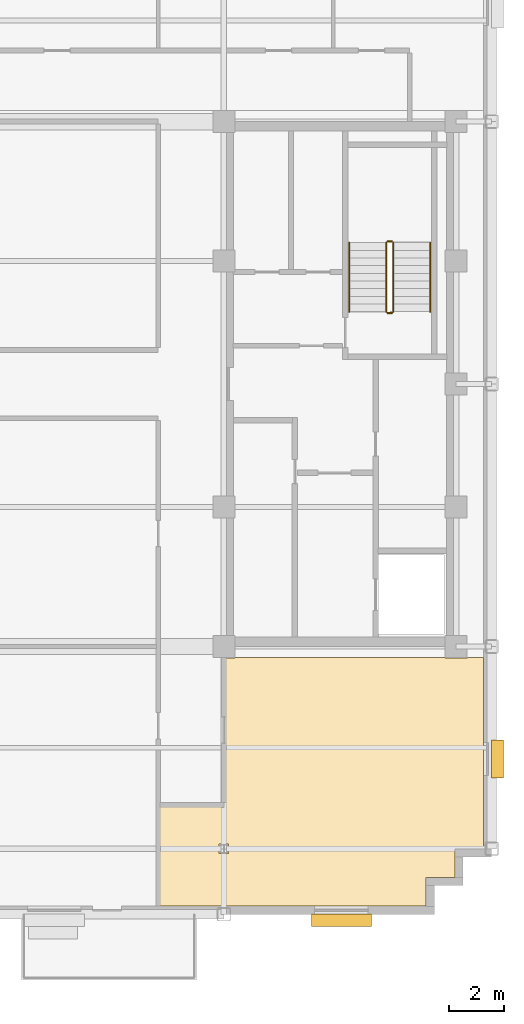
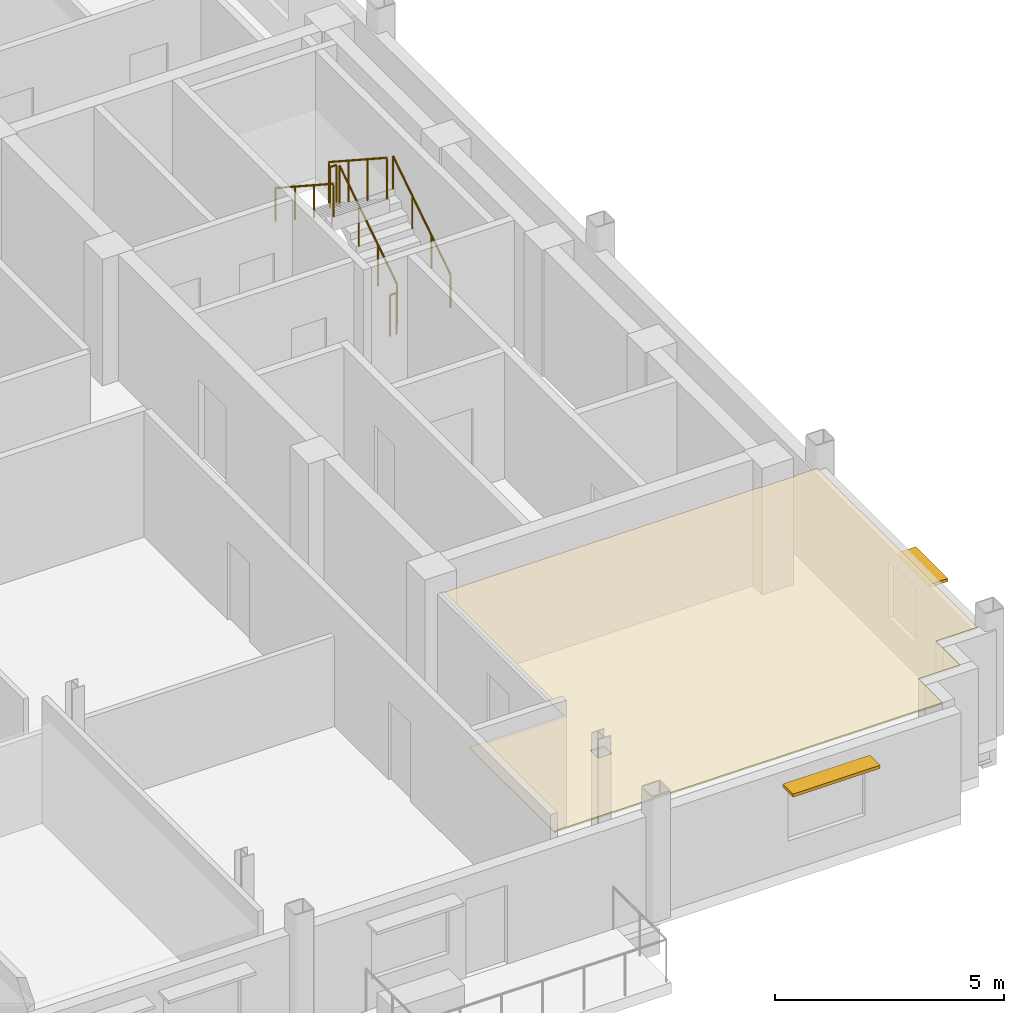
# One storey, part 12 of 13: 6 railings, 2 shading devices, 1 covering.
"""IFC4 building model written with IfcOpenShell, lengths in metres."""

from ifc_helpers import new_model, si_unit, direction, frame, origin, origin_2d, place, context, subcontext, project, spatial, polyline, rectangle, circle, outline, extrude, source, transform, mapped, material, layer, layer_set, type_object, type_shapes, element, save


model = new_model("IFC4")

# Units and contexts
model_context = context("Model", 3, precision=1e-05, world=origin(), true_north=direction((0.0, 1.0)))
body_context = subcontext(model_context, "Body", "Model", "MODEL_VIEW")
ifc_project = project(units=[si_unit("LENGTHUNIT", "METRE"), si_unit("AREAUNIT", "SQUARE_METRE"), si_unit("VOLUMEUNIT", "CUBIC_METRE"), si_unit("PLANEANGLEUNIT", "RADIAN"), si_unit("MASSUNIT", "GRAM", prefix="KILO")], contexts=[model_context])

# Site, building, storey
site_placement = place(None, origin())
site = spatial("IfcSite", under=ifc_project, at=site_placement, CompositionType="ELEMENT")
building_placement = place(site_placement, origin())
building = spatial("IfcBuilding", under=site, at=building_placement, Name="Nuvemarco Arch Tower", CompositionType="ELEMENT")
storey_placement = place(building_placement, frame((0.0, 0.0, 261.60009765625)))
storey = spatial("IfcBuildingStorey", under=building, at=storey_placement, Name="L69", CompositionType="ELEMENT", Elevation=261.60009765625)

# Covering
ifc_material_1 = material(Name="Mineral acoustic ceiling tile")
ifc_layer = layer(ifc_material_1, 0.0400390625, Name="COV-ACOUSTIC-CLG")
ifc_layer_set = layer_set([ifc_layer], Name="Mineral acoustic ceiling tile")
covering_type = type_object("IfcCoveringType", Name="COV-ACOUSTIC-CLG", PredefinedType="CEILING", material=ifc_layer_set)
covering_placement = place(storey_placement, frame((0.0, 0.0, 2.849853515625)))
element("IfcCovering", 1, at=covering_placement, inside=storey, type_object=covering_type, Name="L69 suspended acoustic ceiling 1", PredefinedType="CEILING", context=body_context, shape_type="SweptSolid", body=[
    extrude(outline(polyline([(16.39990234375, -19.10009765625), (6.60009765625, -19.10009765625), (6.60009765625, -15.39990234375), (9.0, -15.39990234375), (9.0, -10.014892578125), (9.4150390625, -10.014892578125), (9.4150390625, -10.0), (17.0849609375, -10.0), (17.0849609375, -10.014892578125), (17.9150390625, -10.014892578125), (17.9150390625, -10.0), (18.5, -10.0), (18.5, -17.0), (17.449951171875, -17.0), (17.449951171875, -18.050048828125), (16.39990234375, -18.050048828125), (16.39990234375, -19.10009765625)]), holes=[polyline([(9.169921875, -17.169921875), (9.169921875, -16.830078125), (8.830078125, -16.830078125), (8.830078125, -17.169921875), (9.169921875, -17.169921875)])]), origin(), (0.0, 0.0, 1.0), 0.0400390625),
])

# Railings
ifc_material_2 = material(Name="Brushed stainless steel handrail", Category="steel")
railing_type_1 = type_object("IfcRailingType", Name="RL-HANDRAIL-900", PredefinedType="HANDRAIL", material=ifc_material_2)
railing_1_placement = place(storey_placement, frame((16.550048828125, 2.64990234375, 0.182373046875)))
element("IfcRailing", 2, at=railing_1_placement, inside=storey, type_object=railing_type_1, Name="L69 ST-2 stair handrail 1", PredefinedType="HANDRAIL", context=body_context, shape_type="SweptSolid", body=[
    extrude(circle(Radius=0.02392578125, at=origin_2d()), frame((0.0, 0.0, 0.8759765625), z_axis=(0.0, 0.837749427056, 0.546054848405), x_axis=(-1.0, 0.0, 0.0)), (0.0, 0.0, 1.0), 3.008056640625),
    extrude(circle(Radius=0.02099609375, at=origin_2d()), origin(), (0.0, 0.0, 1.0), 0.851806640625),
    extrude(circle(Radius=0.02099609375, at=origin_2d()), frame((0.0, 0.840087890625, 0.547607421875)), (0.0, 0.0, 1.0), 0.851806640625),
    extrude(circle(Radius=0.02099609375, at=origin_2d()), frame((0.0, 1.679931640625, 1.094970703125)), (0.0, 0.0, 1.0), 0.851806640625),
    extrude(circle(Radius=0.02099609375, at=origin_2d()), frame((0.0, 2.52001953125, 1.642578125)), (0.0, 0.0, 1.0), 0.851806640625),
])
railing_2_placement = place(storey_placement, frame((13.590087890625, 5.169921875, 2.00732421875)))
element("IfcRailing", 3, at=railing_2_placement, inside=storey, type_object=railing_type_1, Name="L69 ST-2 stair handrail 2", PredefinedType="HANDRAIL", context=body_context, shape_type="SweptSolid", body=[
    extrude(circle(Radius=0.02392578125, at=origin_2d()), frame((0.0, 0.0, 0.8759765625), z_axis=(0.0, -0.837749427056, 0.546054848405), x_axis=(1.0, 0.0, 0.0)), (0.0, 0.0, 1.0), 3.008056640625),
    extrude(circle(Radius=0.02099609375, at=origin_2d()), origin(), (0.0, 0.0, 1.0), 0.851806640625),
    extrude(circle(Radius=0.02099609375, at=origin_2d()), frame((0.0, -0.840087890625, 0.547607421875)), (0.0, 0.0, 1.0), 0.851806640625),
    extrude(circle(Radius=0.02099609375, at=origin_2d()), frame((0.0, -1.679931640625, 1.094970703125)), (0.0, 0.0, 1.0), 0.851806640625),
    extrude(circle(Radius=0.02099609375, at=origin_2d()), frame((0.0, -2.52001953125, 1.642578125)), (0.0, 0.0, 1.0), 0.851806640625),
])
ifc_material_3 = material(Name="Painted balustrade steel S355", Category="steel")
railing_type_2 = type_object("IfcRailingType", Name="RL-STAIR-GUARD", PredefinedType="GUARDRAIL", material=ifc_material_3)
railing_3_placement = place(storey_placement, frame((15.199951171875, 2.64990234375, 0.182373046875)))
element("IfcRailing", 4, at=railing_3_placement, inside=storey, type_object=railing_type_2, Name="L69 ST-2 stair guard 1", PredefinedType="GUARDRAIL", context=body_context, shape_type="SweptSolid", body=[
    extrude(circle(Radius=0.02392578125, at=origin_2d()), frame((0.0, 0.0, 1.09619140625), z_axis=(0.0, 0.837749427056, 0.546054848405), x_axis=(-1.0, 0.0, 0.0)), (0.0, 0.0, 1.0), 3.008056640625),
    extrude(circle(Radius=0.02099609375, at=origin_2d()), origin(), (0.0, 0.0, 1.0), 1.072021484375),
    extrude(circle(Radius=0.02099609375, at=origin_2d()), frame((0.0, 0.840087890625, 0.547607421875)), (0.0, 0.0, 1.0), 1.072021484375),
    extrude(circle(Radius=0.02099609375, at=origin_2d()), frame((0.0, 1.679931640625, 1.094970703125)), (0.0, 0.0, 1.0), 1.072021484375),
    extrude(circle(Radius=0.02099609375, at=origin_2d()), frame((0.0, 2.52001953125, 1.642578125)), (0.0, 0.0, 1.0), 1.072021484375),
])
railing_4_placement = place(storey_placement, frame((15.14990234375, 5.219970703125, 1.824951171875)))
element("IfcRailing", 5, at=railing_4_placement, inside=storey, type_object=railing_type_2, Name="L69 ST-2 stair guard 2", PredefinedType="GUARDRAIL", context=body_context, shape_type="SweptSolid", body=[
    extrude(circle(Radius=0.02392578125, at=origin_2d()), frame((0.0, 0.0, 1.09619140625), z_axis=(-1.0, 0.0, 0.0), x_axis=(0.0, -1.0, 0.0)), (0.0, 0.0, 1.0), 0.159912109375),
    extrude(circle(Radius=0.02099609375, at=origin_2d()), origin(), (0.0, 0.0, 1.0), 1.072021484375),
    extrude(circle(Radius=0.02099609375, at=origin_2d()), frame((-0.159912109375, 0.0, 0.0)), (0.0, 0.0, 1.0), 1.072021484375),
])
railing_5_placement = place(storey_placement, frame((14.93994140625, 5.169921875, 2.00732421875)))
element("IfcRailing", 6, at=railing_5_placement, inside=storey, type_object=railing_type_2, Name="L69 ST-2 stair guard 3", PredefinedType="GUARDRAIL", context=body_context, shape_type="SweptSolid", body=[
    extrude(circle(Radius=0.02392578125, at=origin_2d()), frame((0.0, 0.0, 1.09619140625), z_axis=(0.0, -0.837749427056, 0.546054848405), x_axis=(1.0, 0.0, 0.0)), (0.0, 0.0, 1.0), 3.008056640625),
    extrude(circle(Radius=0.02099609375, at=origin_2d()), origin(), (0.0, 0.0, 1.0), 1.072021484375),
    extrude(circle(Radius=0.02099609375, at=origin_2d()), frame((0.0, -0.840087890625, 0.547607421875)), (0.0, 0.0, 1.0), 1.072021484375),
    extrude(circle(Radius=0.02099609375, at=origin_2d()), frame((0.0, -1.679931640625, 1.094970703125)), (0.0, 0.0, 1.0), 1.072021484375),
    extrude(circle(Radius=0.02099609375, at=origin_2d()), frame((0.0, -2.52001953125, 1.642578125)), (0.0, 0.0, 1.0), 1.072021484375),
])
railing_6_placement = place(storey_placement, frame((15.14990234375, 2.60009765625, 0.0)))
element("IfcRailing", 7, at=railing_6_placement, inside=storey, type_object=railing_type_2, Name="L69 ST-2 stair guard 4", PredefinedType="GUARDRAIL", context=body_context, shape_type="SweptSolid", body=[
    extrude(circle(Radius=0.02392578125, at=origin_2d()), frame((0.0, 0.0, 1.09619140625), z_axis=(-1.0, 0.0, 0.0), x_axis=(0.0, -1.0, 0.0)), (0.0, 0.0, 1.0), 0.159912109375),
    extrude(circle(Radius=0.02099609375, at=origin_2d()), origin(), (0.0, 0.0, 1.0), 1.072021484375),
    extrude(circle(Radius=0.02099609375, at=origin_2d()), frame((-0.159912109375, 0.0, 0.0)), (0.0, 0.0, 1.0), 1.072021484375),
])

# Shading devices
ifc_material_4 = material(Name="Anodised aluminium 6063-T6", Category="aluminium")
shading_device_type_1 = type_object("IfcShadingDeviceType", Name="SHD-BRISE-SOLEIL", PredefinedType="USERDEFINED", material=ifc_material_4)
shared_shape_1 = source(origin(), body_context, "Body", "SweptSolid", [
    extrude(rectangle(XDim=2.199951171875, YDim=0.449951171875, at=origin_2d()), origin(), (0.0, 0.0, 1.0), 0.080078125),
])
type_shapes(shading_device_type_1, [shared_shape_1])
shading_device_1_placement = place(storey_placement, frame((13.300048828125, -19.614990234375, 2.284912109375), z_axis=(0.0, 0.0, 1.0), x_axis=(1.0, 0.0, 0.0)))
element("IfcShadingDevice", 8, at=shading_device_1_placement, inside=storey, type_object=shading_device_type_1, Name="L69 horizontal brise-soleil sunshade", ObjectType="SUNSHADE", PredefinedType="USERDEFINED", context=body_context, shape_type="MappedRepresentation", body=[
    mapped(shared_shape_1, transform((0.0, 0.0, 0.0), scale=1.0)),
])
shading_device_type_2 = type_object("IfcShadingDeviceType", Name="SHD-BRISE-NARROW", PredefinedType="USERDEFINED", material=ifc_material_4)
shared_shape_2 = source(origin(), body_context, "Body", "SweptSolid", [
    extrude(rectangle(XDim=1.39990234375, YDim=0.449951171875, at=origin_2d()), origin(), (0.0, 0.0, 1.0), 0.080078125),
])
type_shapes(shading_device_type_2, [shared_shape_2])
shading_device_2_placement = place(storey_placement, frame((19.014892578125, -13.7177734375, 2.284912109375), z_axis=(0.0, 0.0, 1.0), x_axis=(0.0, 1.0, 0.0)))
element("IfcShadingDevice", 9, at=shading_device_2_placement, inside=storey, type_object=shading_device_type_2, Name="L69 horizontal brise-soleil sunshade", ObjectType="SUNSHADE", PredefinedType="USERDEFINED", context=body_context, shape_type="MappedRepresentation", body=[
    mapped(shared_shape_2, transform((0.0, 0.0, 0.0), scale=1.0)),
])

save(model, "model.ifc")
